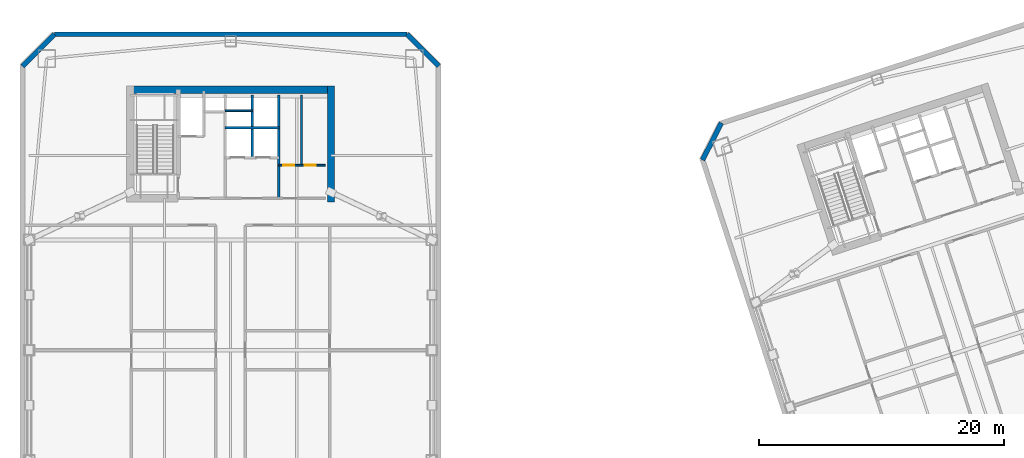
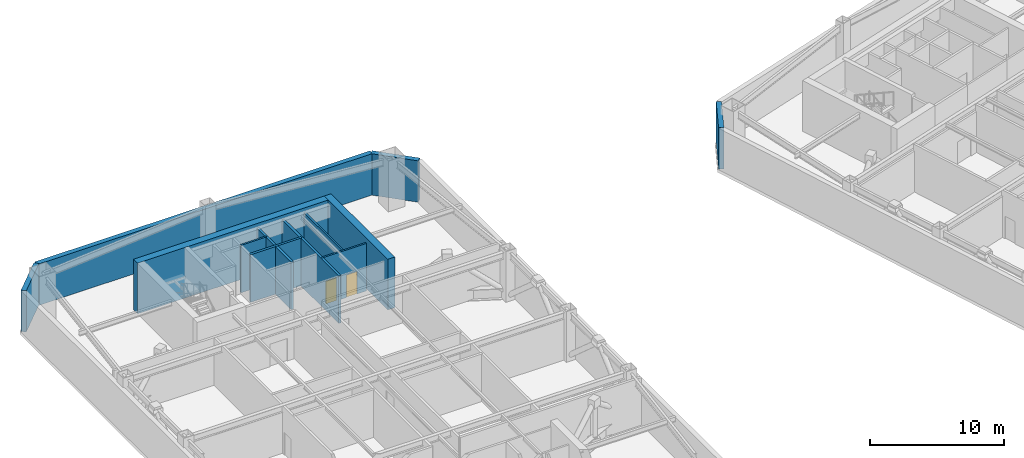
# One storey, part 12 of 17: 12 walls, 2 doors, 2 openings.
"""IFC4 building model written with IfcOpenShell, lengths in metres."""

from ifc_helpers import new_model, si_unit, direction, frame, frame_2d, origin, place, context, subcontext, project, spatial, rectangle, extrude, material, layer, layer_set, type_object, element, fill, save


model = new_model("IFC4")

# Units and contexts
model_context = context("Model", 3, precision=1e-05, world=origin(), true_north=direction((0.0, 1.0)))
body_context = subcontext(model_context, "Body", "Model", "MODEL_VIEW")
ifc_project = project(units=[si_unit("LENGTHUNIT", "METRE"), si_unit("AREAUNIT", "SQUARE_METRE"), si_unit("VOLUMEUNIT", "CUBIC_METRE"), si_unit("PLANEANGLEUNIT", "RADIAN"), si_unit("MASSUNIT", "GRAM", prefix="KILO")], contexts=[model_context])

# Site, building, storey
site_placement = place(None, origin())
site = spatial("IfcSite", under=ifc_project, at=site_placement, CompositionType="ELEMENT")
building_placement = place(site_placement, origin())
building = spatial("IfcBuilding", under=site, at=building_placement, Name="Qiaolan Cultural Towers", CompositionType="ELEMENT")
storey_placement = place(building_placement, frame((0.0, 0.0, 184.0)))
storey = spatial("IfcBuildingStorey", under=building, at=storey_placement, Name="L49", CompositionType="ELEMENT", Elevation=184.0)

# Walls
ifc_material_1 = material(Name="Concrete C55", Category="concrete")
ifc_layer_1 = layer(ifc_material_1, 0.60009765625)
ifc_layer_set_1 = layer_set([ifc_layer_1], Name="Concrete C55")
wall_type_1 = type_object("IfcWallType", Name="WL-CORE-600", PredefinedType="SHEAR", material=ifc_layer_set_1)
wall_1_placement = place(storey_placement, frame((21.5, 55.280029296875, 0.0), z_axis=(0.0, 0.0, 1.0), x_axis=(1.0, 0.0, 0.0)))
element("IfcWall", 1, at=wall_1_placement, inside=storey, type_object=wall_type_1, Name="L49 T1-CN Outer Core Shear Wall", PredefinedType="SHEAR", context=body_context, shape_type="SweptSolid", body=[
    extrude(rectangle(XDim=17.0, YDim=0.60009765625, at=frame_2d((8.5, 0.0))), origin(), (0.0, 0.0, 1.0), 4.60009765625),
])
wall_2_placement = place(storey_placement, frame((38.199951171875, 46.10009765625, 0.0), z_axis=(0.0, 0.0, 1.0), x_axis=(0.0, 1.0, 0.0)))
element("IfcWall", 2, at=wall_2_placement, inside=storey, type_object=wall_type_1, Name="L49 T1-CN East Core Shear Wall", PredefinedType="SHEAR", context=body_context, shape_type="SweptSolid", body=[
    extrude(rectangle(XDim=9.47998046875, YDim=0.60009765625, at=frame_2d((4.739990234375, 0.0))), origin(), (0.0, 0.0, 1.0), 4.60009765625),
])
ifc_material_2 = material(Name="Precast Concrete C50 Honed Stone Pier", Category="masonry")
ifc_layer_2 = layer(ifc_material_2, 0.39990234375)
ifc_layer_set_2 = layer_set([ifc_layer_2], Name="Precast Concrete C50 Honed Stone Pier")
wall_type_2 = type_object("IfcWallType", Name="WL-EXT-PIER-400", PredefinedType="SOLIDWALL", material=ifc_layer_set_2)
wall_3_placement = place(storey_placement, frame((13.0, 57.199951171875, 0.0), z_axis=(0.0, 0.0, 1.0), x_axis=(0.707106781187, 0.707106781187, 0.0)))
element("IfcWall", 3, at=wall_3_placement, inside=storey, type_object=wall_type_2, Name="L49 West Tower Precast Pier Facade Wall F2", PredefinedType="SOLIDWALL", context=body_context, shape_type="SweptSolid", body=[
    extrude(rectangle(XDim=3.677001953125, YDim=0.39990234375, at=frame_2d((1.83837890625, 0.0))), origin(), (0.0, 0.0, 1.0), 3.760009765625),
])
wall_4_placement = place(storey_placement, frame((15.60009765625, 59.800048828125, 0.0), z_axis=(0.0, 0.0, 1.0), x_axis=(1.0, 0.0, 0.0)))
element("IfcWall", 4, at=wall_4_placement, inside=storey, type_object=wall_type_2, Name="L49 West Tower Precast Pier Facade Wall F3", PredefinedType="SOLIDWALL", context=body_context, shape_type="SweptSolid", body=[
    extrude(rectangle(XDim=28.7998046875, YDim=0.39990234375, at=frame_2d((14.39990234375, 0.0))), origin(), (0.0, 0.0, 1.0), 3.760009765625),
])
wall_5_placement = place(storey_placement, frame((44.39990234375, 59.800048828125, 0.0), z_axis=(0.0, 0.0, 1.0), x_axis=(0.707106781187, -0.707106781187, 0.0)))
element("IfcWall", 5, at=wall_5_placement, inside=storey, type_object=wall_type_2, Name="L49 West Tower Precast Pier Facade Wall F4", PredefinedType="SOLIDWALL", context=body_context, shape_type="SweptSolid", body=[
    extrude(rectangle(XDim=3.677001953125, YDim=0.39990234375, at=frame_2d((1.83837890625, 0.0))), origin(), (0.0, 0.0, 1.0), 3.760009765625),
])
wall_6_placement = place(storey_placement, frame((68.550537109375, 49.531982421875, 0.0), z_axis=(0.0, 0.0, 1.0), x_axis=(0.454019523198, 0.890991735402, 0.0)))
element("IfcWall", 6, at=wall_6_placement, inside=storey, type_object=wall_type_2, Name="L49 East Tower Precast Pier Facade Wall F2", PredefinedType="SOLIDWALL", context=body_context, shape_type="SweptSolid", body=[
    extrude(rectangle(XDim=3.39404296875, YDim=0.39990234375, at=frame_2d((1.697021484375, 0.0))), origin(), (0.0, 0.0, 1.0), 3.760009765625),
])
ifc_material_3 = material(Name="Concrete C35 Fire Wall", Category="concrete")
ifc_layer_3 = layer(ifc_material_3, 0.199951171875)
ifc_layer_set_3 = layer_set([ifc_layer_3], Name="Concrete C35 Fire Wall")
wall_type_3 = type_object("IfcWallType", Name="WL-FIRE-200", PredefinedType="PARTITIONING", material=ifc_layer_set_3)
wall_7_placement = place(storey_placement, frame((33.949951171875, 46.39990234375, 0.0), z_axis=(0.0, 0.0, 1.0), x_axis=(0.0, 1.0, 0.0)))
element("IfcWall", 7, at=wall_7_placement, inside=storey, type_object=wall_type_3, Name="L49 T1-CN Lift Core East Wall", PredefinedType="PARTITIONING", context=body_context, shape_type="SweptSolid", body=[
    extrude(rectangle(XDim=8.43017578125, YDim=0.199951171875, at=frame_2d((4.215087890625, 0.0))), origin(), (0.0, 0.0, 1.0), 4.324951171875),
])
wall_8_placement = place(storey_placement, frame((31.780029296875, 49.719970703125, 0.0), z_axis=(0.0, 0.0, 1.0), x_axis=(0.0, 1.0, 0.0)))
element("IfcWall", 8, at=wall_8_placement, inside=storey, type_object=wall_type_3, Name="L49 T1-CN Lift Shaft Divider Wall", PredefinedType="PARTITIONING", context=body_context, shape_type="SweptSolid", body=[
    extrude(rectangle(XDim=5.110107421875, YDim=0.199951171875, at=frame_2d((2.55517578125, 0.0))), origin(), (0.0, 0.0, 1.0), 4.324951171875),
])
wall_9_placement = place(storey_placement, frame((29.550048828125, 52.14990234375, 0.0), z_axis=(0.0, 0.0, 1.0), x_axis=(1.0, 0.0, 0.0)))
element("IfcWall", 9, at=wall_9_placement, inside=storey, type_object=wall_type_3, Name="L49 T1-CN Passenger Lift Shaft Back Wall", PredefinedType="PARTITIONING", context=body_context, shape_type="SweptSolid", body=[
    extrude(rectangle(XDim=4.39990234375, YDim=0.199951171875, at=frame_2d((2.199951171875, 0.0))), origin(), (0.0, 0.0, 1.0), 4.324951171875),
])
ifc_material_4 = material(Name="Autoclaved Aerated Concrete Block B06", Category="concrete")
ifc_layer_4 = layer(ifc_material_4, 0.14990234375)
ifc_layer_set_4 = layer_set([ifc_layer_4], Name="Autoclaved Aerated Concrete Block B06")
wall_type_4 = type_object("IfcWallType", Name="WL-PART-150", PredefinedType="PARTITIONING", material=ifc_layer_set_4)
wall_10_placement = place(storey_placement, frame((29.550048828125, 53.550048828125, 0.0), z_axis=(0.0, 0.0, 1.0), x_axis=(1.0, 0.0, 0.0)))
element("IfcWall", 10, at=wall_10_placement, inside=storey, type_object=wall_type_4, Name="L49 T1-CN Core Rear Riser Split", PredefinedType="PARTITIONING", context=body_context, shape_type="SweptSolid", body=[
    extrude(rectangle(XDim=2.22998046875, YDim=0.14990234375, at=frame_2d((1.114990234375, 0.0))), origin(), (0.0, 0.0, 1.0), 4.324951171875),
])

# Wall, openings, doors
wall_11_placement = place(storey_placement, frame((33.949951171875, 49.10009765625, 0.0), z_axis=(0.0, 0.0, 1.0), x_axis=(1.0, 0.0, 0.0)))
wall_11 = element("IfcWall", 11, at=wall_11_placement, inside=storey, type_object=wall_type_4, Name="L49 T1-CN Restroom Vestibule Wall", PredefinedType="PARTITIONING", context=body_context, shape_type="SweptSolid", body=[
    extrude(rectangle(XDim=3.800048828125, YDim=0.14990234375, at=frame_2d((1.89990234375, 0.0))), origin(), (0.0, 0.0, 1.0), 4.324951171875),
])
opening_1_placement = place(wall_11_placement, frame((0.35009765625, 0.0, 0.0)))
opening_1 = element("IfcOpeningElement", 12, at=opening_1_placement, cuts=wall_11, Name="Opening ID-06", PredefinedType="OPENING", context=body_context, shape_type="SweptSolid", body=[
    extrude(rectangle(XDim=0.89990234375, YDim=2.050048828125, at=frame_2d((0.449951171875, 1.02490234375))), frame((0.0, 0.0849609375, 0.0), z_axis=(0.0, -1.0, 0.0), x_axis=(1.0, 0.0, 0.0)), (0.0, 0.0, 1.0), 0.169921875),
])
opening_2_placement = place(wall_11_placement, frame((2.10009765625, 0.0, 0.0)))
opening_2 = element("IfcOpeningElement", 13, at=opening_2_placement, cuts=wall_11, Name="Opening ID-06", PredefinedType="OPENING", context=body_context, shape_type="SweptSolid", body=[
    extrude(rectangle(XDim=0.89990234375, YDim=2.050048828125, at=frame_2d((0.449951171875, 1.02490234375))), frame((0.0, 0.0849609375, 0.0), z_axis=(0.0, -1.0, 0.0), x_axis=(1.0, 0.0, 0.0)), (0.0, 0.0, 1.0), 0.169921875),
])
ifc_material_5 = material(Name="Fire-Rated Laminate Core Service Door", Category="timber")
door_type = type_object("IfcDoorType", Name="DR-INT-900", OperationType="NOTDEFINED", PredefinedType="DOOR", material=ifc_material_5)
door_1_placement = place(opening_1_placement, origin())
door_1 = element("IfcDoor", 14, at=door_1_placement, inside=storey, type_object=door_type, Name="L49 Men Restroom Door", OperationType="SINGLE_SWING_LEFT", OverallHeight=2.050048828125, OverallWidth=0.89990234375, PredefinedType="DOOR", context=body_context, shape_type="SweptSolid", body=[
    extrude(rectangle(XDim=0.89990234375, YDim=2.050048828125, at=frame_2d((0.449951171875, 1.02490234375))), frame((0.0, 0.02490234375, 0.0), z_axis=(0.0, -1.0, 0.0), x_axis=(1.0, 0.0, 0.0)), (0.0, 0.0, 1.0), 0.050048828125),
])
fill(opening_1, door_1)
door_2_placement = place(opening_2_placement, origin())
door_2 = element("IfcDoor", 15, at=door_2_placement, inside=storey, type_object=door_type, Name="L49 Accessible & Women Restroom Door", OperationType="SINGLE_SWING_RIGHT", OverallHeight=2.050048828125, OverallWidth=0.89990234375, PredefinedType="DOOR", context=body_context, shape_type="SweptSolid", body=[
    extrude(rectangle(XDim=0.89990234375, YDim=2.050048828125, at=frame_2d((0.449951171875, 1.02490234375))), frame((0.0, 0.02490234375, 0.0), z_axis=(0.0, -1.0, 0.0), x_axis=(1.0, 0.0, 0.0)), (0.0, 0.0, 1.0), 0.050048828125),
])
fill(opening_2, door_2)

# Wall
wall_12_placement = place(storey_placement, frame((35.800048828125, 49.10009765625, 0.0), z_axis=(0.0, 0.0, 1.0), x_axis=(0.0, 1.0, 0.0)))
element("IfcWall", 16, at=wall_12_placement, inside=storey, type_object=wall_type_4, Name="L49 T1-CN Restroom Divider Wall", PredefinedType="PARTITIONING", context=body_context, shape_type="SweptSolid", body=[
    extrude(rectangle(XDim=5.72998046875, YDim=0.14990234375, at=frame_2d((2.864990234375, 0.0))), origin(), (0.0, 0.0, 1.0), 4.324951171875),
])

save(model, "model.ifc")
